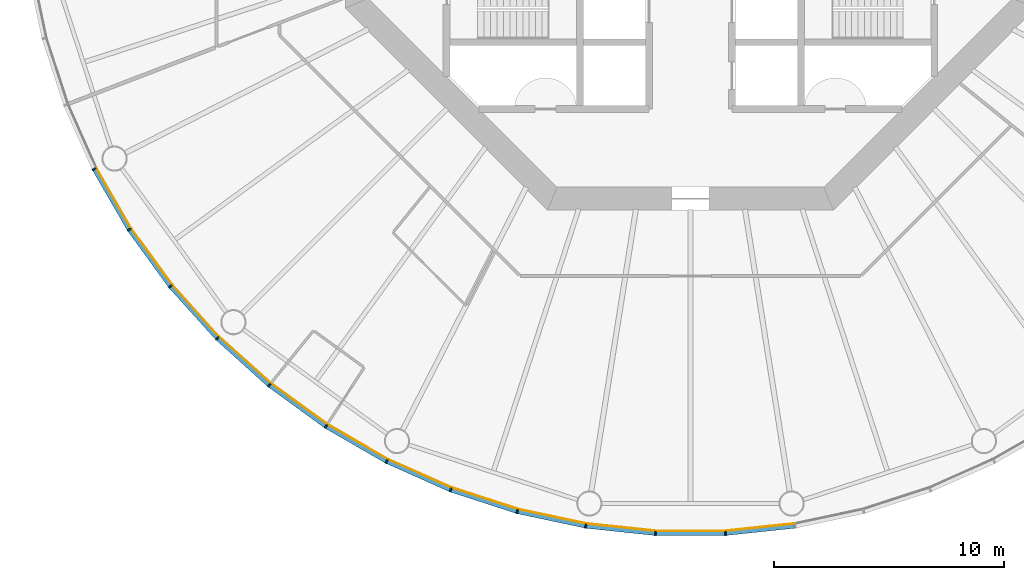
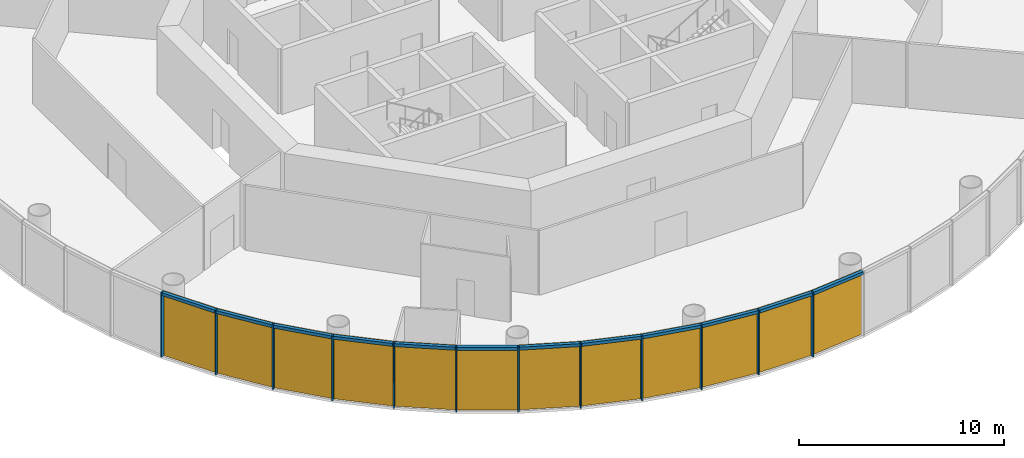
# One storey, part 6 of 12: 24 members, 4 curtain walls.
"""IFC4 building model written with IfcOpenShell, lengths in metres."""

from ifc_helpers import new_model, si_unit, direction, frame, origin, origin_2d, place, context, subcontext, project, spatial, polyline, rectangle, outline, extrude, material, layer, layer_set, material_profile, profile_set, type_object, element, aggregate, save


model = new_model("IFC4")

# Units and contexts
model_context = context("Model", 3, precision=1e-05, world=origin(), true_north=direction((0.0, 1.0)))
body_context = subcontext(model_context, "Body", "Model", "MODEL_VIEW")
ifc_project = project(units=[si_unit("LENGTHUNIT", "METRE"), si_unit("AREAUNIT", "SQUARE_METRE"), si_unit("VOLUMEUNIT", "CUBIC_METRE"), si_unit("PLANEANGLEUNIT", "RADIAN"), si_unit("MASSUNIT", "GRAM", prefix="KILO")], contexts=[model_context])

# Member
ifc_material_1 = material(Name="Anodised aluminium", Category="aluminium")
ifc_material_profile_1 = material_profile(ifc_material_1, rectangle(XDim=0.06494140625, YDim=0.18505859375, at=origin_2d()), Name="Mullion 65 x 185 mm anodised aluminium")
ifc_profile_set_1 = profile_set([ifc_material_profile_1], Name="Anodised aluminium")
member_type_1 = type_object("IfcMemberType", Name="Mullion 65 x 185 mm anodised aluminium", PredefinedType="MULLION", material=ifc_profile_set_1)
site_placement = place(None, origin())
building_placement = place(site_placement, origin())
storey_placement = place(building_placement, frame((0.0, 0.0, 148.0)))
member_1_placement = place(storey_placement, frame((64.078369140625, 66.792236328125, 0.0), z_axis=(0.0, 0.0, 1.0), x_axis=(0.45399049974, -0.891006524188, 0.0)))
member_1 = element("IfcMember", 1, at=member_1_placement, type_object=member_type_1, Name="MULLION L33-33", PredefinedType="MULLION", context=body_context, shape_type="SweptSolid", body=[
    extrude(rectangle(XDim=0.06494140625, YDim=0.18505859375, at=origin_2d()), origin(), (0.0, 0.0, 1.0), 3.85009765625),
])

member_2_placement = place(storey_placement, frame((65.60107421875, 64.155029296875, 0.0), z_axis=(0.0, 0.0, 1.0), x_axis=(0.544639035015, -0.838670567945, 0.0)))
member_2 = element("IfcMember", 2, at=member_2_placement, type_object=member_type_1, Name="MULLION L33-34", PredefinedType="MULLION", context=body_context, shape_type="SweptSolid", body=[
    extrude(rectangle(XDim=0.06494140625, YDim=0.18505859375, at=origin_2d()), origin(), (0.0, 0.0, 1.0), 3.85009765625),
])

member_3_placement = place(storey_placement, frame((67.390869140625, 61.69140625, 0.0), z_axis=(0.0, 0.0, 1.0), x_axis=(0.62932039105, -0.777145961457, 0.0)))
member_3 = element("IfcMember", 3, at=member_3_placement, type_object=member_type_1, Name="MULLION L33-35", PredefinedType="MULLION", context=body_context, shape_type="SweptSolid", body=[
    extrude(rectangle(XDim=0.06494140625, YDim=0.18505859375, at=origin_2d()), origin(), (0.0, 0.0, 1.0), 3.85009765625),
])

member_4_placement = place(storey_placement, frame((69.428466796875, 59.428466796875, 0.0), z_axis=(0.0, 0.0, 1.0), x_axis=(0.707106781187, -0.707106781187, 0.0)))
member_4 = element("IfcMember", 4, at=member_4_placement, type_object=member_type_1, Name="MULLION L33-36", PredefinedType="MULLION", context=body_context, shape_type="SweptSolid", body=[
    extrude(rectangle(XDim=0.06494140625, YDim=0.18505859375, at=origin_2d()), origin(), (0.0, 0.0, 1.0), 3.85009765625),
])

member_5_placement = place(storey_placement, frame((71.69140625, 57.390869140625, 0.0), z_axis=(0.0, 0.0, 1.0), x_axis=(0.777145961457, -0.62932039105, 0.0)))
member_5 = element("IfcMember", 5, at=member_5_placement, type_object=member_type_1, Name="MULLION L33-37", PredefinedType="MULLION", context=body_context, shape_type="SweptSolid", body=[
    extrude(rectangle(XDim=0.06494140625, YDim=0.18505859375, at=origin_2d()), origin(), (0.0, 0.0, 1.0), 3.85009765625),
])

member_6_placement = place(storey_placement, frame((74.155029296875, 55.60107421875, 0.0), z_axis=(0.0, 0.0, 1.0), x_axis=(0.838670567945, -0.544639035015, 0.0)))
member_6 = element("IfcMember", 6, at=member_6_placement, type_object=member_type_1, Name="MULLION L33-38", PredefinedType="MULLION", context=body_context, shape_type="SweptSolid", body=[
    extrude(rectangle(XDim=0.06494140625, YDim=0.18505859375, at=origin_2d()), origin(), (0.0, 0.0, 1.0), 3.85009765625),
])

member_7_placement = place(storey_placement, frame((76.792236328125, 54.078369140625, 0.0), z_axis=(0.0, 0.0, 1.0), x_axis=(0.891006524188, -0.45399049974, 0.0)))
member_7 = element("IfcMember", 7, at=member_7_placement, type_object=member_type_1, Name="MULLION L33-39", PredefinedType="MULLION", context=body_context, shape_type="SweptSolid", body=[
    extrude(rectangle(XDim=0.06494140625, YDim=0.18505859375, at=origin_2d()), origin(), (0.0, 0.0, 1.0), 3.85009765625),
])

member_8_placement = place(storey_placement, frame((79.57421875, 52.83984375, 0.0), z_axis=(0.0, 0.0, 1.0), x_axis=(0.933580426497, -0.358367949545, 0.0)))
member_8 = element("IfcMember", 8, at=member_8_placement, type_object=member_type_1, Name="MULLION L33-40", PredefinedType="MULLION", context=body_context, shape_type="SweptSolid", body=[
    extrude(rectangle(XDim=0.06494140625, YDim=0.18505859375, at=origin_2d()), origin(), (0.0, 0.0, 1.0), 3.85009765625),
])

member_9_placement = place(storey_placement, frame((82.47021484375, 51.898681640625, 0.0), z_axis=(0.0, 0.0, 1.0), x_axis=(0.965925826289, -0.258819045103, 0.0)))
member_9 = element("IfcMember", 9, at=member_9_placement, type_object=member_type_1, Name="MULLION L33-41", PredefinedType="MULLION", context=body_context, shape_type="SweptSolid", body=[
    extrude(rectangle(XDim=0.06494140625, YDim=0.18505859375, at=origin_2d()), origin(), (0.0, 0.0, 1.0), 3.85009765625),
])

member_10_placement = place(storey_placement, frame((85.448974609375, 51.265625, 0.0), z_axis=(0.0, 0.0, 1.0), x_axis=(0.987688340595, -0.15643446504, 0.0)))
member_10 = element("IfcMember", 10, at=member_10_placement, type_object=member_type_1, Name="MULLION L33-42", PredefinedType="MULLION", context=body_context, shape_type="SweptSolid", body=[
    extrude(rectangle(XDim=0.06494140625, YDim=0.18505859375, at=origin_2d()), origin(), (0.0, 0.0, 1.0), 3.85009765625),
])

member_11_placement = place(storey_placement, frame((88.477294921875, 50.947265625, 0.0), z_axis=(0.0, 0.0, 1.0), x_axis=(0.998629534755, -0.052335956243, 0.0)))
member_11 = element("IfcMember", 11, at=member_11_placement, type_object=member_type_1, Name="MULLION L33-43", PredefinedType="MULLION", context=body_context, shape_type="SweptSolid", body=[
    extrude(rectangle(XDim=0.06494140625, YDim=0.18505859375, at=origin_2d()), origin(), (0.0, 0.0, 1.0), 3.85009765625),
])

member_12_placement = place(storey_placement, frame((91.522705078125, 50.947265625, 0.0), z_axis=(0.0, 0.0, 1.0), x_axis=(0.998629534755, 0.052335956243, 0.0)))
member_12 = element("IfcMember", 12, at=member_12_placement, type_object=member_type_1, Name="MULLION L33-44", PredefinedType="MULLION", context=body_context, shape_type="SweptSolid", body=[
    extrude(rectangle(XDim=0.06494140625, YDim=0.18505859375, at=origin_2d()), origin(), (0.0, 0.0, 1.0), 3.85009765625),
])

ifc_material_2 = material(Name="Anodised aluminium", Category="aluminium")
ifc_material_profile_2 = material_profile(ifc_material_2, rectangle(XDim=0.18505859375, YDim=0.175048828125, at=origin_2d()), Name="Transom 175 x 185 mm anodised aluminium")
ifc_profile_set_2 = profile_set([ifc_material_profile_2], Name="Anodised aluminium")
member_type_2 = type_object("IfcMemberType", Name="Transom 175 x 185 mm anodised aluminium", PredefinedType="USERDEFINED", material=ifc_profile_set_2)
member_13_placement = place(storey_placement, frame((64.096923828125, 66.759765625, 3.762451171875), z_axis=(0.500028367561, -0.866009025146, 0.0), x_axis=(0.866009025146, 0.500028367561, 0.0)))
member_13 = element("IfcMember", 13, at=member_13_placement, type_object=member_type_2, Name="TRANSOM L33-33", ObjectType="TRANSOM", PredefinedType="USERDEFINED", context=body_context, shape_type="SweptSolid", body=[
    extrude(rectangle(XDim=0.18505859375, YDim=0.175048828125, at=origin_2d()), origin(), (0.0, 0.0, 1.0), 2.970458984375),
])

member_14_placement = place(storey_placement, frame((65.622802734375, 64.124755859375, 3.762451171875), z_axis=(0.587819781808, -0.808991906087, 0.0), x_axis=(0.808991906087, 0.587819781808, 0.0)))
member_14 = element("IfcMember", 14, at=member_14_placement, type_object=member_type_2, Name="TRANSOM L33-34", ObjectType="TRANSOM", PredefinedType="USERDEFINED", context=body_context, shape_type="SweptSolid", body=[
    extrude(rectangle(XDim=0.18505859375, YDim=0.175048828125, at=origin_2d()), origin(), (0.0, 0.0, 1.0), 2.970458984375),
])

member_15_placement = place(storey_placement, frame((67.415771484375, 61.66357421875, 3.762451171875), z_axis=(0.669110027395, -0.743163354343, 0.0), x_axis=(0.743163354343, 0.669110027395, 0.0)))
member_15 = element("IfcMember", 15, at=member_15_placement, type_object=member_type_2, Name="TRANSOM L33-35", ObjectType="TRANSOM", PredefinedType="USERDEFINED", context=body_context, shape_type="SweptSolid", body=[
    extrude(rectangle(XDim=0.18505859375, YDim=0.175048828125, at=origin_2d()), origin(), (0.0, 0.0, 1.0), 2.970458984375),
])

member_16_placement = place(storey_placement, frame((69.4560546875, 59.4033203125, 3.762451171875), z_axis=(0.743163354343, -0.669110027395, 0.0), x_axis=(0.669110027395, 0.743163354343, 0.0)))
member_16 = element("IfcMember", 16, at=member_16_placement, type_object=member_type_2, Name="TRANSOM L33-36", ObjectType="TRANSOM", PredefinedType="USERDEFINED", context=body_context, shape_type="SweptSolid", body=[
    extrude(rectangle(XDim=0.18505859375, YDim=0.175048828125, at=origin_2d()), origin(), (0.0, 0.0, 1.0), 2.970458984375),
])

member_17_placement = place(storey_placement, frame((71.7216796875, 57.368896484375, 3.762451171875), z_axis=(0.808991906087, -0.587819781808, 0.0), x_axis=(0.587819781808, 0.808991906087, 0.0)))
member_17 = element("IfcMember", 17, at=member_17_placement, type_object=member_type_2, Name="TRANSOM L33-37", ObjectType="TRANSOM", PredefinedType="USERDEFINED", context=body_context, shape_type="SweptSolid", body=[
    extrude(rectangle(XDim=0.18505859375, YDim=0.175048828125, at=origin_2d()), origin(), (0.0, 0.0, 1.0), 2.970458984375),
])

member_18_placement = place(storey_placement, frame((74.187255859375, 55.582275390625, 3.762451171875), z_axis=(0.866009025146, -0.500028367561, 0.0), x_axis=(0.500028367561, 0.866009025146, 0.0)))
member_18 = element("IfcMember", 18, at=member_18_placement, type_object=member_type_2, Name="TRANSOM L33-38", ObjectType="TRANSOM", PredefinedType="USERDEFINED", context=body_context, shape_type="SweptSolid", body=[
    extrude(rectangle(XDim=0.18505859375, YDim=0.175048828125, at=origin_2d()), origin(), (0.0, 0.0, 1.0), 2.970458984375),
])

member_19_placement = place(storey_placement, frame((76.826416015625, 54.06298828125, 3.762451171875), z_axis=(0.913567348806, -0.406687471156, 0.0), x_axis=(0.406687471156, 0.913567348806, 0.0)))
member_19 = element("IfcMember", 19, at=member_19_placement, type_object=member_type_2, Name="TRANSOM L33-39", ObjectType="TRANSOM", PredefinedType="USERDEFINED", context=body_context, shape_type="SweptSolid", body=[
    extrude(rectangle(XDim=0.18505859375, YDim=0.175048828125, at=origin_2d()), origin(), (0.0, 0.0, 1.0), 2.970458984375),
])

member_20_placement = place(storey_placement, frame((79.609619140625, 52.828125, 3.762451171875), z_axis=(0.951055809184, -0.30901917063, 0.0), x_axis=(0.30901917063, 0.951055809184, 0.0)))
member_20 = element("IfcMember", 20, at=member_20_placement, type_object=member_type_2, Name="TRANSOM L33-40", ObjectType="TRANSOM", PredefinedType="USERDEFINED", context=body_context, shape_type="SweptSolid", body=[
    extrude(rectangle(XDim=0.18505859375, YDim=0.175048828125, at=origin_2d()), origin(), (0.0, 0.0, 1.0), 2.970703125),
])

member_21_placement = place(storey_placement, frame((82.5068359375, 51.890869140625, 3.762451171875), z_axis=(0.97815822425, -0.207861704825, 0.0), x_axis=(0.207861704825, 0.97815822425, 0.0)))
member_21 = element("IfcMember", 21, at=member_21_placement, type_object=member_type_2, Name="TRANSOM L33-41", ObjectType="TRANSOM", PredefinedType="USERDEFINED", context=body_context, shape_type="SweptSolid", body=[
    extrude(rectangle(XDim=0.18505859375, YDim=0.175048828125, at=origin_2d()), origin(), (0.0, 0.0, 1.0), 2.970458984375),
])

member_22_placement = place(storey_placement, frame((85.486083984375, 51.26171875, 3.762451171875), z_axis=(0.994519855197, -0.104547872381, 0.0), x_axis=(0.104547872381, 0.994519855197, 0.0)))
member_22 = element("IfcMember", 22, at=member_22_placement, type_object=member_type_2, Name="TRANSOM L33-42", ObjectType="TRANSOM", PredefinedType="USERDEFINED", context=body_context, shape_type="SweptSolid", body=[
    extrude(rectangle(XDim=0.18505859375, YDim=0.175048828125, at=origin_2d()), origin(), (0.0, 0.0, 1.0), 2.970458984375),
])

member_23_placement = place(storey_placement, frame((88.5146484375, 50.947265625, 3.762451171875), z_axis=(1.0, 0.0, 0.0), x_axis=(0.0, 1.0, 0.0)))
member_23 = element("IfcMember", 23, at=member_23_placement, type_object=member_type_2, Name="TRANSOM L33-43", ObjectType="TRANSOM", PredefinedType="USERDEFINED", context=body_context, shape_type="SweptSolid", body=[
    extrude(rectangle(XDim=0.18505859375, YDim=0.175048828125, at=origin_2d()), origin(), (0.0, 0.0, 1.0), 2.970703125),
])

member_24_placement = place(storey_placement, frame((91.559814453125, 50.951171875, 3.762451171875), z_axis=(0.994519855197, 0.104547872381, 0.0), x_axis=(-0.104547872381, 0.994519855197, 0.0)))
member_24 = element("IfcMember", 24, at=member_24_placement, type_object=member_type_2, Name="TRANSOM L33-44", ObjectType="TRANSOM", PredefinedType="USERDEFINED", context=body_context, shape_type="SweptSolid", body=[
    extrude(rectangle(XDim=0.18505859375, YDim=0.175048828125, at=origin_2d()), origin(), (0.0, 0.0, 1.0), 2.970458984375),
])

# Site, building, storey
site = spatial("IfcSite", under=ifc_project, at=site_placement, CompositionType="ELEMENT")
building = spatial("IfcBuilding", under=site, at=building_placement, Name="Entoto Ring Tower", CompositionType="ELEMENT")
storey = spatial("IfcBuildingStorey", under=building, at=storey_placement, Name="L33", CompositionType="ELEMENT", Elevation=148.0)

# Curtain wall
ifc_material_3 = material(Name="Clear low-iron glass", Category="glass")
ifc_layer = layer(ifc_material_3, 0.033935546875)
ifc_layer_set = layer_set([ifc_layer], Name="Clear low-iron glass")
curtain_wall_type = type_object("IfcCurtainWallType", Name="Curtain wall system CW3 glazing 34 mm", PredefinedType="NOTDEFINED", material=ifc_layer_set)
curtain_wall_1_placement = place(storey_placement, origin())
curtain_wall_1 = element("IfcCurtainWall", 25, at=curtain_wall_1_placement, inside=storey, type_object=curtain_wall_type, Name="CW3 L33-12", PredefinedType="NOTDEFINED", context=body_context, shape_type="SweptSolid", body=[
    extrude(outline(polyline([(64.160888671875, 66.834228515625), (65.678466796875, 64.20556640625), (67.462646484375, 61.749755859375), (69.493896484375, 59.493896484375), (69.51806640625, 59.51806640625), (67.4892578125, 61.771240234375), (65.70703125, 64.22412109375), (64.191162109375, 66.849853515625), (64.160888671875, 66.834228515625)])), origin(), (0.0, 0.0, 1.0), 3.85009765625),
])

aggregate(curtain_wall_1, [member_1, member_2, member_3, member_13, member_14, member_15])

curtain_wall_2_placement = place(storey_placement, origin())
curtain_wall_2 = element("IfcCurtainWall", 26, at=curtain_wall_2_placement, inside=storey, type_object=curtain_wall_type, Name="CW3 L33-13", PredefinedType="NOTDEFINED", context=body_context, shape_type="SweptSolid", body=[
    extrude(outline(polyline([(69.493896484375, 59.493896484375), (71.749755859375, 57.462646484375), (74.20556640625, 55.678466796875), (76.834228515625, 54.160888671875), (76.849853515625, 54.191162109375), (74.22412109375, 55.70703125), (71.771240234375, 57.4892578125), (69.51806640625, 59.51806640625), (69.493896484375, 59.493896484375)])), origin(), (0.0, 0.0, 1.0), 3.85009765625),
])

aggregate(curtain_wall_2, [member_4, member_5, member_6, member_16, member_17, member_18])

curtain_wall_3_placement = place(storey_placement, origin())
curtain_wall_3 = element("IfcCurtainWall", 27, at=curtain_wall_3_placement, inside=storey, type_object=curtain_wall_type, Name="CW3 L33-14", PredefinedType="NOTDEFINED", context=body_context, shape_type="SweptSolid", body=[
    extrude(outline(polyline([(76.834228515625, 54.160888671875), (79.607421875, 52.92626953125), (82.494140625, 51.988037109375), (85.46337890625, 51.35693359375), (85.46875, 51.390625), (82.503173828125, 52.02099609375), (79.61962890625, 52.9580078125), (76.849853515625, 54.191162109375), (76.834228515625, 54.160888671875)])), origin(), (0.0, 0.0, 1.0), 3.85009765625),
])

aggregate(curtain_wall_3, [member_7, member_8, member_9, member_19, member_20, member_21])

curtain_wall_4_placement = place(storey_placement, origin())
curtain_wall_4 = element("IfcCurtainWall", 28, at=curtain_wall_4_placement, inside=storey, type_object=curtain_wall_type, Name="CW3 L33-15", PredefinedType="NOTDEFINED", context=body_context, shape_type="SweptSolid", body=[
    extrude(outline(polyline([(85.46337890625, 51.35693359375), (88.482177734375, 51.039794921875), (91.517822265625, 51.039794921875), (94.53662109375, 51.35693359375), (94.53125, 51.390625), (91.515869140625, 51.07373046875), (88.484130859375, 51.07373046875), (85.46875, 51.390625), (85.46337890625, 51.35693359375)])), origin(), (0.0, 0.0, 1.0), 3.85009765625),
])

aggregate(curtain_wall_4, [member_10, member_11, member_12, member_22, member_23, member_24])

save(model, "model.ifc")
